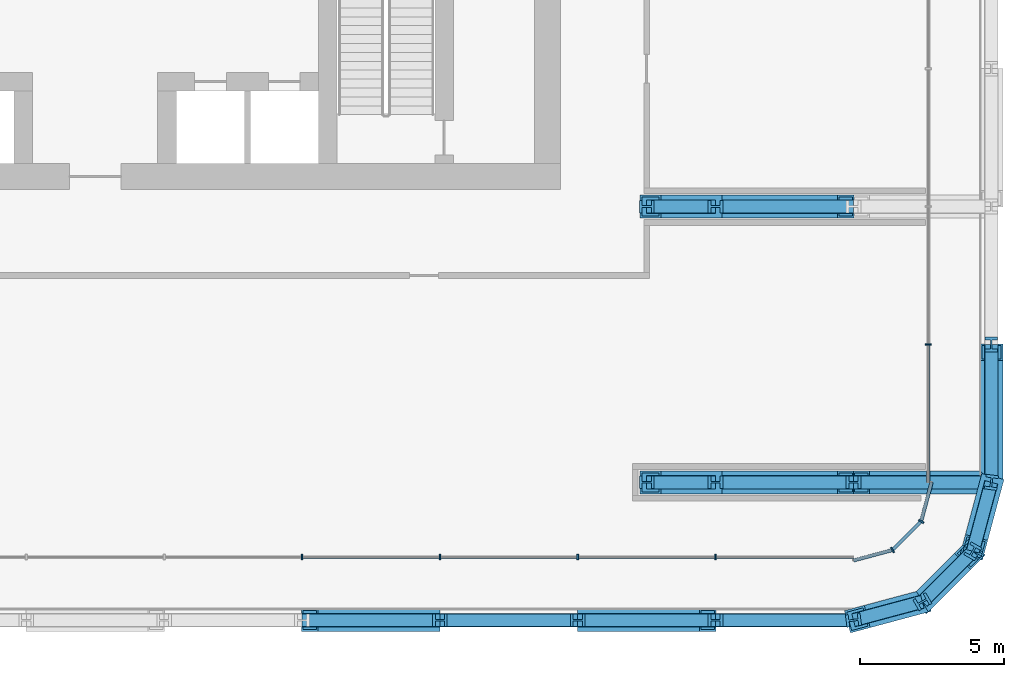
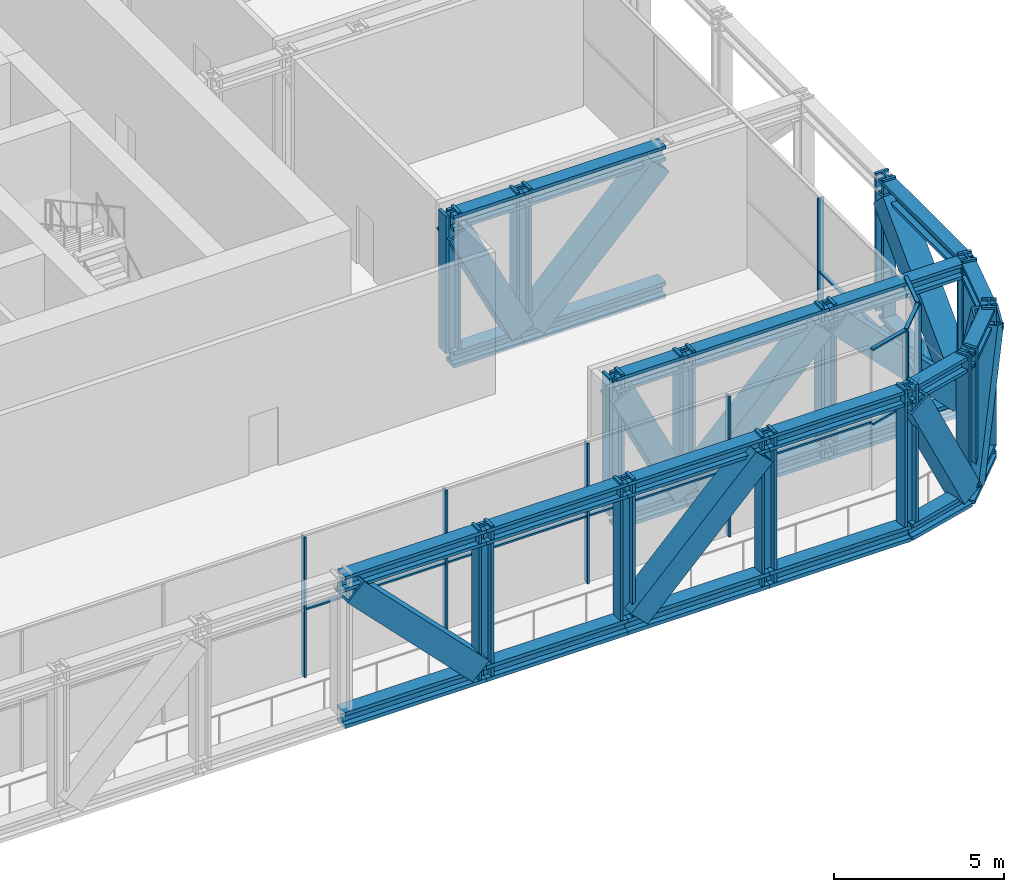
# One storey, part 8 of 30: 68 members, 3 elements without a shape of their own.
"""IFC4 building model written with IfcOpenShell, lengths in metres."""

from ifc_helpers import new_model, si_unit, direction, frame, origin, origin_2d, place, context, subcontext, project, spatial, rectangle, hollow_rectangle, i_section, extrude, material, layer, layer_set, material_profile, profile_set, type_object, element, aggregate, save


model = new_model("IFC4")

# Units and contexts
model_context = context("Model", 3, precision=1e-05, world=origin(), true_north=direction((0.0, 1.0)))
body_context = subcontext(model_context, "Body", "Model", "MODEL_VIEW")
ifc_project = project(units=[si_unit("LENGTHUNIT", "METRE"), si_unit("AREAUNIT", "SQUARE_METRE"), si_unit("VOLUMEUNIT", "CUBIC_METRE"), si_unit("PLANEANGLEUNIT", "RADIAN"), si_unit("MASSUNIT", "GRAM", prefix="KILO")], contexts=[model_context])

# Site, building, storey
site_placement = place(None, origin())
site = spatial("IfcSite", under=ifc_project, at=site_placement, CompositionType="ELEMENT")
building_placement = place(site_placement, origin())
building = spatial("IfcBuilding", under=site, at=building_placement, Name="Madar Terraces", CompositionType="ELEMENT")
storey_placement = place(building_placement, frame((0.0, 0.0, 53.89990234375)))
storey = spatial("IfcBuildingStorey", under=building, at=storey_placement, Name="L13", CompositionType="ELEMENT", Elevation=53.89990234375)

# Members
ifc_material_1 = material(Name="Steel ASTM A913 Grade 65", Category="steel")
ifc_material_profile_1 = material_profile(ifc_material_1, i_section(OverallWidth=0.472412109375, OverallDepth=0.5791015625, WebThickness=0.094970703125, FlangeThickness=0.130126953125, at=origin_2d()), Name="W14x808")
ifc_profile_set_1 = profile_set([ifc_material_profile_1], Name="Steel ASTM A913 Grade 65")
member_type_1 = type_object("IfcMemberType", Name="BC2 W14x808", PredefinedType="CHORD", material=ifc_profile_set_1)
for number, where, z_axis, x_axis, name in (
    (1, (38.39990234375, 0.0, -0.13037109375), (1.0, 0.0, 0.0), (0.0, 1.0, 0.0), "Exoskeleton truss ring bottom chord BC2"),
    (2, (43.199951171875, 0.0, -0.13037109375), (1.0, 0.0, 0.0), (0.0, 1.0, 0.0), "Exoskeleton truss ring bottom chord BC2"),
    (3, (48.0, 0.0, -0.13037109375), (1.0, 0.0, 0.0), (0.0, 1.0, 0.0), "Exoskeleton truss ring bottom chord BC2"),
    (4, (52.800048828125, 0.0, -0.13037109375), (1.0, 0.0, 0.0), (0.0, 1.0, 0.0), "Exoskeleton truss ring bottom chord BC2"),
):
    element("IfcMember", number, at=place(storey_placement, frame(where, z_axis=z_axis, x_axis=x_axis)), inside=storey, type_object=member_type_1, Name=name, PredefinedType="CHORD", context=body_context, shape_type="SweptSolid", body=[
        extrude(i_section(OverallWidth=0.472412109375, OverallDepth=0.5791015625, WebThickness=0.094970703125, FlangeThickness=0.130126953125, at=origin_2d()), origin(), (0.0, 0.0, 1.0), 4.800048828125),
    ])
for number, where, z_axis, x_axis, name in (
    (5, (57.60009765625, 0.0, -0.13037109375), (0.965924366126, 0.258824494443, 0.0), (-0.258824494443, 0.965924366126, 0.0), "Exoskeleton truss ring bottom chord BC2"),
    (6, (60.0, 0.64306640625, -0.13037109375), (0.707106781187, 0.707106781187, 0.0), (-0.707106781187, 0.707106781187, 0.0), "Exoskeleton truss ring bottom chord BC2"),
):
    element("IfcMember", number, at=place(storey_placement, frame(where, z_axis=z_axis, x_axis=x_axis)), inside=storey, type_object=member_type_1, Name=name, PredefinedType="CHORD", context=body_context, shape_type="SweptSolid", body=[
        extrude(i_section(OverallWidth=0.472412109375, OverallDepth=0.5791015625, WebThickness=0.094970703125, FlangeThickness=0.130126953125, at=origin_2d()), origin(), (0.0, 0.0, 1.0), 2.484619140625),
    ])
member_1_placement = place(storey_placement, frame((61.7568359375, 2.39990234375, -0.13037109375), z_axis=(0.258799930484, 0.965930947833, 0.0), x_axis=(-0.965930947833, 0.258799930484, 0.0)))
element("IfcMember", 7, at=member_1_placement, inside=storey, type_object=member_type_1, Name="Exoskeleton truss ring bottom chord BC2", PredefinedType="CHORD", context=body_context, shape_type="SweptSolid", body=[
    extrude(i_section(OverallWidth=0.472412109375, OverallDepth=0.5791015625, WebThickness=0.094970703125, FlangeThickness=0.130126953125, at=origin_2d()), origin(), (0.0, 0.0, 1.0), 2.48486328125),
])
member_2_placement = place(storey_placement, frame((62.39990234375, 4.800048828125, -0.13037109375), z_axis=(0.0, 1.0, 0.0), x_axis=(-1.0, 0.0, 0.0)))
element("IfcMember", 8, at=member_2_placement, inside=storey, type_object=member_type_1, Name="Exoskeleton truss ring bottom chord BC2", PredefinedType="CHORD", context=body_context, shape_type="SweptSolid", body=[
    extrude(i_section(OverallWidth=0.472412109375, OverallDepth=0.5791015625, WebThickness=0.094970703125, FlangeThickness=0.130126953125, at=origin_2d()), origin(), (0.0, 0.0, 1.0), 4.800048828125),
])
member_3_placement = place(storey_placement, frame((62.163818359375, 4.800048828125, -0.13037109375), z_axis=(-1.0, 0.0, 0.0), x_axis=(0.0, -1.0, 0.0)))
element("IfcMember", 9, at=member_3_placement, inside=storey, type_object=member_type_1, Name="Exoskeleton truss cross E4.8 bottom chord BC2", PredefinedType="CHORD", context=body_context, shape_type="SweptSolid", body=[
    extrude(i_section(OverallWidth=0.472412109375, OverallDepth=0.5791015625, WebThickness=0.094970703125, FlangeThickness=0.130126953125, at=origin_2d()), origin(), (0.0, 0.0, 1.0), 4.563720703125),
])
member_4_placement = place(storey_placement, frame((57.60009765625, 4.800048828125, -0.13037109375), z_axis=(-1.0, 0.0, 0.0), x_axis=(0.0, -1.0, 0.0)))
element("IfcMember", 10, at=member_4_placement, inside=storey, type_object=member_type_1, Name="Exoskeleton truss cross E4.8 bottom chord BC2", PredefinedType="CHORD", context=body_context, shape_type="SweptSolid", body=[
    extrude(i_section(OverallWidth=0.472412109375, OverallDepth=0.5791015625, WebThickness=0.094970703125, FlangeThickness=0.130126953125, at=origin_2d()), origin(), (0.0, 0.0, 1.0), 4.800048828125),
])
member_5_placement = place(storey_placement, frame((52.800048828125, 4.800048828125, -0.13037109375), z_axis=(-1.0, 0.0, 0.0), x_axis=(0.0, -1.0, 0.0)))
element("IfcMember", 11, at=member_5_placement, inside=storey, type_object=member_type_1, Name="Exoskeleton truss cross E4.8 bottom chord BC2", PredefinedType="CHORD", context=body_context, shape_type="SweptSolid", body=[
    extrude(i_section(OverallWidth=0.472412109375, OverallDepth=0.5791015625, WebThickness=0.094970703125, FlangeThickness=0.130126953125, at=origin_2d()), origin(), (0.0, 0.0, 1.0), 2.400146484375),
])
member_6_placement = place(storey_placement, frame((57.60009765625, 14.39990234375, -0.13037109375), z_axis=(-1.0, 0.0, 0.0), x_axis=(0.0, -1.0, 0.0)))
element("IfcMember", 12, at=member_6_placement, inside=storey, type_object=member_type_1, Name="Exoskeleton truss cross E14.4 bottom chord BC2", PredefinedType="CHORD", context=body_context, shape_type="SweptSolid", body=[
    extrude(i_section(OverallWidth=0.472412109375, OverallDepth=0.5791015625, WebThickness=0.094970703125, FlangeThickness=0.130126953125, at=origin_2d()), origin(), (0.0, 0.0, 1.0), 4.800048828125),
])
member_7_placement = place(storey_placement, frame((52.800048828125, 14.39990234375, -0.13037109375), z_axis=(-1.0, 0.0, 0.0), x_axis=(0.0, -1.0, 0.0)))
element("IfcMember", 13, at=member_7_placement, inside=storey, type_object=member_type_1, Name="Exoskeleton truss cross E14.4 bottom chord BC2", PredefinedType="CHORD", context=body_context, shape_type="SweptSolid", body=[
    extrude(i_section(OverallWidth=0.472412109375, OverallDepth=0.5791015625, WebThickness=0.094970703125, FlangeThickness=0.130126953125, at=origin_2d()), origin(), (0.0, 0.0, 1.0), 2.400146484375),
])

# Curtain wall, members
ifc_material_2 = material(Name="Glass, ceramic frit dark grey, with black aluminium frame", Category="aluminium")
ifc_layer = layer(ifc_material_2, 0.199951171875)
ifc_layer_set = layer_set([ifc_layer], Name="Facade curtain wall, tall glazing")
curtain_wall_type = type_object("IfcCurtainWallType", Name="Facade curtain wall, tall glazing", PredefinedType="NOTDEFINED", material=ifc_layer_set)
curtain_wall_1_placement = place(storey_placement, origin())
curtain_wall_1 = element("IfcCurtainWall", 14, at=curtain_wall_1_placement, inside=storey, type_object=curtain_wall_type, Name="Outer skin curtain wall south bay 1", PredefinedType="NOTDEFINED")
ifc_material_3 = material(Name="Aluminium, black anodised", Category="aluminium")
ifc_material_profile_2 = material_profile(ifc_material_3, rectangle(XDim=0.199951171875, YDim=0.06005859375, at=origin_2d()), Name="Facade mullion 60x200")
ifc_profile_set_2 = profile_set([ifc_material_profile_2], Name="Aluminium, black anodised")
member_type_2 = type_object("IfcMemberType", Name="Facade mullion 60x200", PredefinedType="MULLION", material=ifc_profile_set_2)
member_8_placement = place(storey_placement, frame((38.39990234375, 2.199951171875, 0.0), z_axis=(0.0, 0.0, 1.0), x_axis=(0.0, 1.0, 0.0)))
member_8 = element("IfcMember", 15, at=member_8_placement, type_object=member_type_2, Name="Mullion 6", PredefinedType="MULLION", context=body_context, shape_type="SweptSolid", body=[
    extrude(rectangle(XDim=0.199951171875, YDim=0.06005859375, at=origin_2d()), origin(), (0.0, 0.0, 1.0), 5.0400390625),
])
member_9_placement = place(storey_placement, frame((43.199951171875, 2.199951171875, 0.0), z_axis=(0.0, 0.0, 1.0), x_axis=(0.0, 1.0, 0.0)))
member_9 = element("IfcMember", 16, at=member_9_placement, type_object=member_type_2, Name="Mullion 7", PredefinedType="MULLION", context=body_context, shape_type="SweptSolid", body=[
    extrude(rectangle(XDim=0.199951171875, YDim=0.06005859375, at=origin_2d()), origin(), (0.0, 0.0, 1.0), 5.0400390625),
])
member_10_placement = place(storey_placement, frame((48.0, 2.199951171875, 0.0), z_axis=(0.0, 0.0, 1.0), x_axis=(0.0, 1.0, 0.0)))
member_10 = element("IfcMember", 17, at=member_10_placement, type_object=member_type_2, Name="Mullion 8", PredefinedType="MULLION", context=body_context, shape_type="SweptSolid", body=[
    extrude(rectangle(XDim=0.199951171875, YDim=0.06005859375, at=origin_2d()), origin(), (0.0, 0.0, 1.0), 5.0400390625),
])
member_11_placement = place(storey_placement, frame((52.800048828125, 2.199951171875, 0.0), z_axis=(0.0, 0.0, 1.0), x_axis=(0.0, 1.0, 0.0)))
member_11 = element("IfcMember", 18, at=member_11_placement, type_object=member_type_2, Name="Mullion 9", PredefinedType="MULLION", context=body_context, shape_type="SweptSolid", body=[
    extrude(rectangle(XDim=0.199951171875, YDim=0.06005859375, at=origin_2d()), origin(), (0.0, 0.0, 1.0), 5.0400390625),
])

# Curtain wall, member
curtain_wall_2_placement = place(storey_placement, origin())
curtain_wall_2 = element("IfcCurtainWall", 19, at=curtain_wall_2_placement, inside=storey, type_object=curtain_wall_type, Name="Outer skin curtain wall east bay 1", PredefinedType="NOTDEFINED")
member_12_placement = place(storey_placement, frame((60.199951171875, 9.60009765625, 0.0), z_axis=(0.0, 0.0, 1.0), x_axis=(-1.0, 0.0, 0.0)))
member_12 = element("IfcMember", 20, at=member_12_placement, type_object=member_type_2, Name="Mullion 1", PredefinedType="MULLION", context=body_context, shape_type="SweptSolid", body=[
    extrude(rectangle(XDim=0.199951171875, YDim=0.06005859375, at=origin_2d()), origin(), (0.0, 0.0, 1.0), 5.0400390625),
])

# Curtain wall, members
curtain_wall_3_placement = place(storey_placement, origin())
curtain_wall_3 = element("IfcCurtainWall", 21, at=curtain_wall_3_placement, inside=storey, type_object=curtain_wall_type, Name="Outer skin curtain wall south-east corner", PredefinedType="NOTDEFINED")
member_13_placement = place(storey_placement, frame((58.9599609375, 2.4443359375, 0.0), z_axis=(0.0, 0.0, 1.0), x_axis=(-0.500000029202, 0.866025386925, 0.0)))
member_13 = element("IfcMember", 22, at=member_13_placement, type_object=member_type_2, Name="Mullion 1", PredefinedType="MULLION", context=body_context, shape_type="SweptSolid", body=[
    extrude(rectangle(XDim=0.199951171875, YDim=0.06005859375, at=origin_2d()), origin(), (0.0, 0.0, 1.0), 5.0400390625),
])
member_14_placement = place(storey_placement, frame((59.95556640625, 3.43994140625, 0.0), z_axis=(0.0, 0.0, 1.0), x_axis=(-0.866025386925, 0.500000029202, 0.0)))
member_14 = element("IfcMember", 23, at=member_14_placement, type_object=member_type_2, Name="Mullion 2", PredefinedType="MULLION", context=body_context, shape_type="SweptSolid", body=[
    extrude(rectangle(XDim=0.199951171875, YDim=0.06005859375, at=origin_2d()), origin(), (0.0, 0.0, 1.0), 5.0400390625),
])

# Member
ifc_material_4 = material(Name="Aluminium, black anodised", Category="aluminium")
ifc_material_profile_3 = material_profile(ifc_material_4, rectangle(XDim=0.1201171875, YDim=0.06005859375, at=origin_2d()), Name="Facade transom 60x120")
ifc_profile_set_3 = profile_set([ifc_material_profile_3], Name="Aluminium, black anodised")
member_type_3 = type_object("IfcMemberType", Name="Facade transom 60x120", PredefinedType="USERDEFINED", material=ifc_profile_set_3)
member_15_placement = place(storey_placement, frame((38.429931640625, 2.199951171875, 2.400146484375), z_axis=(1.0, 0.0, 0.0), x_axis=(0.0, 1.0, 0.0)))
member_15 = element("IfcMember", 24, at=member_15_placement, type_object=member_type_3, Name="Transom 8", ObjectType="TRANSOM", PredefinedType="USERDEFINED", context=body_context, shape_type="SweptSolid", body=[
    extrude(rectangle(XDim=0.1201171875, YDim=0.06005859375, at=origin_2d()), origin(), (0.0, 0.0, 1.0), 4.739990234375),
])

member_16_placement = place(storey_placement, frame((43.22998046875, 2.199951171875, 2.400146484375), z_axis=(1.0, 0.0, 0.0), x_axis=(0.0, 1.0, 0.0)))
member_16 = element("IfcMember", 25, at=member_16_placement, type_object=member_type_3, Name="Transom 9", ObjectType="TRANSOM", PredefinedType="USERDEFINED", context=body_context, shape_type="SweptSolid", body=[
    extrude(rectangle(XDim=0.1201171875, YDim=0.06005859375, at=origin_2d()), origin(), (0.0, 0.0, 1.0), 4.739990234375),
])

member_17_placement = place(storey_placement, frame((48.030029296875, 2.199951171875, 2.400146484375), z_axis=(1.0, 0.0, 0.0), x_axis=(0.0, 1.0, 0.0)))
member_17 = element("IfcMember", 26, at=member_17_placement, type_object=member_type_3, Name="Transom 10", ObjectType="TRANSOM", PredefinedType="USERDEFINED", context=body_context, shape_type="SweptSolid", body=[
    extrude(rectangle(XDim=0.1201171875, YDim=0.06005859375, at=origin_2d()), origin(), (0.0, 0.0, 1.0), 4.739990234375),
])

member_18_placement = place(storey_placement, frame((52.830078125, 2.199951171875, 2.400146484375), z_axis=(1.0, 0.0, 0.0), x_axis=(0.0, 1.0, 0.0)))
member_18 = element("IfcMember", 27, at=member_18_placement, type_object=member_type_3, Name="Transom 11", ObjectType="TRANSOM", PredefinedType="USERDEFINED", context=body_context, shape_type="SweptSolid", body=[
    extrude(rectangle(XDim=0.1201171875, YDim=0.06005859375, at=origin_2d()), origin(), (0.0, 0.0, 1.0), 4.77001953125),
])

aggregate(curtain_wall_1, [member_8, member_9, member_10, member_11, member_15, member_16, member_17, member_18])

member_19_placement = place(storey_placement, frame((60.199951171875, 4.800048828125, 2.400146484375), z_axis=(0.0, 1.0, 0.0), x_axis=(-1.0, 0.0, 0.0)))
member_19 = element("IfcMember", 28, at=member_19_placement, type_object=member_type_3, Name="Transom 2", ObjectType="TRANSOM", PredefinedType="USERDEFINED", context=body_context, shape_type="SweptSolid", body=[
    extrude(rectangle(XDim=0.1201171875, YDim=0.06005859375, at=origin_2d()), origin(), (0.0, 0.0, 1.0), 4.77001953125),
])

aggregate(curtain_wall_2, [member_12, member_19])

member_20_placement = place(storey_placement, frame((57.60009765625, 2.080078125, 5.070068359375), z_axis=(0.965907707525, 0.258886655787, 0.0), x_axis=(-0.258886655787, 0.965907707525, 0.0)))
member_20 = element("IfcMember", 29, at=member_20_placement, type_object=member_type_3, Name="Transom 1", ObjectType="TRANSOM", PredefinedType="USERDEFINED", context=body_context, shape_type="SweptSolid", body=[
    extrude(rectangle(XDim=0.1201171875, YDim=0.06005859375, at=origin_2d()), origin(), (0.0, 0.0, 1.0), 1.377685546875),
])

member_21_placement = place(storey_placement, frame((57.60009765625, 2.080078125, 2.400146484375), z_axis=(0.965907707525, 0.258886655787, 0.0), x_axis=(-0.258886655787, 0.965907707525, 0.0)))
member_21 = element("IfcMember", 30, at=member_21_placement, type_object=member_type_3, Name="Transom 2", ObjectType="TRANSOM", PredefinedType="USERDEFINED", context=body_context, shape_type="SweptSolid", body=[
    extrude(rectangle(XDim=0.1201171875, YDim=0.06005859375, at=origin_2d()), origin(), (0.0, 0.0, 1.0), 1.377685546875),
])

member_22_placement = place(storey_placement, frame((58.981201171875, 2.465576171875, 5.070068359375), z_axis=(0.707106781187, 0.707106781187, 0.0), x_axis=(-0.707106781187, 0.707106781187, 0.0)))
member_22 = element("IfcMember", 31, at=member_22_placement, type_object=member_type_3, Name="Transom 3", ObjectType="TRANSOM", PredefinedType="USERDEFINED", context=body_context, shape_type="SweptSolid", body=[
    extrude(rectangle(XDim=0.1201171875, YDim=0.06005859375, at=origin_2d()), origin(), (0.0, 0.0, 1.0), 1.347900390625),
])

member_23_placement = place(storey_placement, frame((58.981201171875, 2.465576171875, 2.400146484375), z_axis=(0.707106781187, 0.707106781187, 0.0), x_axis=(-0.707106781187, 0.707106781187, 0.0)))
member_23 = element("IfcMember", 32, at=member_23_placement, type_object=member_type_3, Name="Transom 4", ObjectType="TRANSOM", PredefinedType="USERDEFINED", context=body_context, shape_type="SweptSolid", body=[
    extrude(rectangle(XDim=0.1201171875, YDim=0.06005859375, at=origin_2d()), origin(), (0.0, 0.0, 1.0), 1.347900390625),
])

member_24_placement = place(storey_placement, frame((59.96337890625, 3.468994140625, 5.070068359375), z_axis=(0.258842352791, 0.965919580711, 0.0), x_axis=(-0.965919580711, 0.258842352791, 0.0)))
member_24 = element("IfcMember", 33, at=member_24_placement, type_object=member_type_3, Name="Transom 5", ObjectType="TRANSOM", PredefinedType="USERDEFINED", context=body_context, shape_type="SweptSolid", body=[
    extrude(rectangle(XDim=0.1201171875, YDim=0.06005859375, at=origin_2d()), origin(), (0.0, 0.0, 1.0), 1.3779296875),
])

member_25_placement = place(storey_placement, frame((59.96337890625, 3.468994140625, 2.400146484375), z_axis=(0.258842352791, 0.965919580711, 0.0), x_axis=(-0.965919580711, 0.258842352791, 0.0)))
member_25 = element("IfcMember", 34, at=member_25_placement, type_object=member_type_3, Name="Transom 6", ObjectType="TRANSOM", PredefinedType="USERDEFINED", context=body_context, shape_type="SweptSolid", body=[
    extrude(rectangle(XDim=0.1201171875, YDim=0.06005859375, at=origin_2d()), origin(), (0.0, 0.0, 1.0), 1.3779296875),
])

aggregate(curtain_wall_3, [member_13, member_20, member_21, member_14, member_22, member_23, member_24, member_25])

# Members
ifc_material_5 = material(Name="Steel ASTM A913 Grade 65", Category="steel")
ifc_material_profile_4 = material_profile(ifc_material_5, i_section(OverallWidth=0.449462890625, OverallDepth=0.548583984375, WebThickness=0.07177734375, FlangeThickness=0.11474609375, at=origin_2d()), Name="W14x665")
ifc_profile_set_4 = profile_set([ifc_material_profile_4], Name="Steel ASTM A913 Grade 65")
member_type_4 = type_object("IfcMemberType", Name="TC2 W14x665", PredefinedType="CHORD", material=ifc_profile_set_4)
for number, where, z_axis, x_axis, name in (
    (35, (38.39990234375, 0.0, 4.755859375), (1.0, 0.0, 0.0), (0.0, 1.0, 0.0), "Exoskeleton truss ring top chord TC2"),
    (36, (43.199951171875, 0.0, 4.755859375), (1.0, 0.0, 0.0), (0.0, 1.0, 0.0), "Exoskeleton truss ring top chord TC2"),
    (37, (48.0, 0.0, 4.755859375), (1.0, 0.0, 0.0), (0.0, 1.0, 0.0), "Exoskeleton truss ring top chord TC2"),
    (38, (52.800048828125, 0.0, 4.755859375), (1.0, 0.0, 0.0), (0.0, 1.0, 0.0), "Exoskeleton truss ring top chord TC2"),
):
    element("IfcMember", number, at=place(storey_placement, frame(where, z_axis=z_axis, x_axis=x_axis)), inside=storey, type_object=member_type_4, Name=name, PredefinedType="CHORD", context=body_context, shape_type="SweptSolid", body=[
        extrude(i_section(OverallWidth=0.449462890625, OverallDepth=0.548583984375, WebThickness=0.07177734375, FlangeThickness=0.11474609375, at=origin_2d()), origin(), (0.0, 0.0, 1.0), 4.800048828125),
    ])
for number, where, z_axis, x_axis, name in (
    (39, (57.60009765625, 0.0, 4.755859375), (0.965924366126, 0.258824494443, 0.0), (-0.258824494443, 0.965924366126, 0.0), "Exoskeleton truss ring top chord TC2"),
    (40, (60.0, 0.64306640625, 4.755859375), (0.707106781187, 0.707106781187, 0.0), (-0.707106781187, 0.707106781187, 0.0), "Exoskeleton truss ring top chord TC2"),
):
    element("IfcMember", number, at=place(storey_placement, frame(where, z_axis=z_axis, x_axis=x_axis)), inside=storey, type_object=member_type_4, Name=name, PredefinedType="CHORD", context=body_context, shape_type="SweptSolid", body=[
        extrude(i_section(OverallWidth=0.449462890625, OverallDepth=0.548583984375, WebThickness=0.07177734375, FlangeThickness=0.11474609375, at=origin_2d()), origin(), (0.0, 0.0, 1.0), 2.484619140625),
    ])
member_26_placement = place(storey_placement, frame((61.7568359375, 2.39990234375, 4.755859375), z_axis=(0.258799930484, 0.965930947833, 0.0), x_axis=(-0.965930947833, 0.258799930484, 0.0)))
element("IfcMember", 41, at=member_26_placement, inside=storey, type_object=member_type_4, Name="Exoskeleton truss ring top chord TC2", PredefinedType="CHORD", context=body_context, shape_type="SweptSolid", body=[
    extrude(i_section(OverallWidth=0.449462890625, OverallDepth=0.548583984375, WebThickness=0.07177734375, FlangeThickness=0.11474609375, at=origin_2d()), origin(), (0.0, 0.0, 1.0), 2.48486328125),
])
member_27_placement = place(storey_placement, frame((62.39990234375, 4.800048828125, 4.755859375), z_axis=(0.0, 1.0, 0.0), x_axis=(-1.0, 0.0, 0.0)))
element("IfcMember", 42, at=member_27_placement, inside=storey, type_object=member_type_4, Name="Exoskeleton truss ring top chord TC2", PredefinedType="CHORD", context=body_context, shape_type="SweptSolid", body=[
    extrude(i_section(OverallWidth=0.449462890625, OverallDepth=0.548583984375, WebThickness=0.07177734375, FlangeThickness=0.11474609375, at=origin_2d()), origin(), (0.0, 0.0, 1.0), 4.800048828125),
])
member_28_placement = place(storey_placement, frame((62.17529296875, 4.800048828125, 4.755859375), z_axis=(-1.0, 0.0, 0.0), x_axis=(0.0, -1.0, 0.0)))
element("IfcMember", 43, at=member_28_placement, inside=storey, type_object=member_type_4, Name="Exoskeleton truss cross E4.8 top chord TC2", PredefinedType="CHORD", context=body_context, shape_type="SweptSolid", body=[
    extrude(i_section(OverallWidth=0.449462890625, OverallDepth=0.548583984375, WebThickness=0.07177734375, FlangeThickness=0.11474609375, at=origin_2d()), origin(), (0.0, 0.0, 1.0), 4.5751953125),
])
member_29_placement = place(storey_placement, frame((57.60009765625, 4.800048828125, 4.755859375), z_axis=(-1.0, 0.0, 0.0), x_axis=(0.0, -1.0, 0.0)))
element("IfcMember", 44, at=member_29_placement, inside=storey, type_object=member_type_4, Name="Exoskeleton truss cross E4.8 top chord TC2", PredefinedType="CHORD", context=body_context, shape_type="SweptSolid", body=[
    extrude(i_section(OverallWidth=0.449462890625, OverallDepth=0.548583984375, WebThickness=0.07177734375, FlangeThickness=0.11474609375, at=origin_2d()), origin(), (0.0, 0.0, 1.0), 4.800048828125),
])
member_30_placement = place(storey_placement, frame((52.800048828125, 4.800048828125, 4.755859375), z_axis=(-1.0, 0.0, 0.0), x_axis=(0.0, -1.0, 0.0)))
element("IfcMember", 45, at=member_30_placement, inside=storey, type_object=member_type_4, Name="Exoskeleton truss cross E4.8 top chord TC2", PredefinedType="CHORD", context=body_context, shape_type="SweptSolid", body=[
    extrude(i_section(OverallWidth=0.449462890625, OverallDepth=0.548583984375, WebThickness=0.07177734375, FlangeThickness=0.11474609375, at=origin_2d()), origin(), (0.0, 0.0, 1.0), 2.400146484375),
])
member_31_placement = place(storey_placement, frame((57.60009765625, 14.39990234375, 4.755859375), z_axis=(-1.0, 0.0, 0.0), x_axis=(0.0, -1.0, 0.0)))
element("IfcMember", 46, at=member_31_placement, inside=storey, type_object=member_type_4, Name="Exoskeleton truss cross E14.4 top chord TC2", PredefinedType="CHORD", context=body_context, shape_type="SweptSolid", body=[
    extrude(i_section(OverallWidth=0.449462890625, OverallDepth=0.548583984375, WebThickness=0.07177734375, FlangeThickness=0.11474609375, at=origin_2d()), origin(), (0.0, 0.0, 1.0), 4.800048828125),
])
member_32_placement = place(storey_placement, frame((52.800048828125, 14.39990234375, 4.755859375), z_axis=(-1.0, 0.0, 0.0), x_axis=(0.0, -1.0, 0.0)))
element("IfcMember", 47, at=member_32_placement, inside=storey, type_object=member_type_4, Name="Exoskeleton truss cross E14.4 top chord TC2", PredefinedType="CHORD", context=body_context, shape_type="SweptSolid", body=[
    extrude(i_section(OverallWidth=0.449462890625, OverallDepth=0.548583984375, WebThickness=0.07177734375, FlangeThickness=0.11474609375, at=origin_2d()), origin(), (0.0, 0.0, 1.0), 2.400146484375),
])
ifc_material_6 = material(Name="Steel ASTM A572 Grade 50", Category="steel")
ifc_material_profile_5 = material_profile(ifc_material_6, hollow_rectangle(XDim=0.800048828125, YDim=0.800048828125, WallThickness=0.070068359375, at=origin_2d()), Name="BOX800x800x70")
ifc_profile_set_5 = profile_set([ifc_material_profile_5], Name="Steel ASTM A572 Grade 50")
member_type_5 = type_object("IfcMemberType", Name="TD2 BOX800x800x70", PredefinedType="BRACE", material=ifc_profile_set_5)
for number, where, z_axis, x_axis, name in (
    (48, (38.66943359375, 0.0, 4.4814453125), (0.700792979798, 0.0, -0.713364702986), (0.0, 1.0, 0.0), "Exoskeleton truss ring diagonal TD2"),
    (49, (48.284423828125, 0.0, 0.1591796875), (0.700792979798, 0.0, 0.713364702986), (0.0, 1.0, 0.0), "Exoskeleton truss ring diagonal TD2"),
):
    element("IfcMember", number, at=place(storey_placement, frame(where, z_axis=z_axis, x_axis=x_axis)), inside=storey, type_object=member_type_5, Name=name, PredefinedType="BRACE", context=body_context, shape_type="SweptSolid", body=[
        extrude(hollow_rectangle(XDim=0.800048828125, YDim=0.800048828125, WallThickness=0.070068359375, at=origin_2d()), origin(), (0.0, 0.0, 1.0), 6.05908203125),
    ])
for number, where, z_axis, x_axis, name in (
    (50, (57.73486328125, 0.0361328125, 4.4814453125), (0.437790317205, 0.117314714099, -0.891390428498), (-0.258837885275, 0.965920777883, 0.0), "Exoskeleton truss ring diagonal TD2"),
    (51, (60.10400390625, 0.747314453125, 0.1591796875), (0.320523004836, 0.320472655636, 0.891382230225), (-0.707051236881, 0.707162321129, 0.0), "Exoskeleton truss ring diagonal TD2"),
):
    element("IfcMember", number, at=place(storey_placement, frame(where, z_axis=z_axis, x_axis=x_axis)), inside=storey, type_object=member_type_5, Name=name, PredefinedType="BRACE", context=body_context, shape_type="SweptSolid", body=[
        extrude(hollow_rectangle(XDim=0.800048828125, YDim=0.800048828125, WallThickness=0.070068359375, at=origin_2d()), origin(), (0.0, 0.0, 1.0), 4.848876953125),
    ])
member_33_placement = place(storey_placement, frame((61.79296875, 2.53466796875, 4.4814453125), z_axis=(0.117312128115, 0.437831015487, -0.89137077946), x_axis=(-0.965928219336, 0.258810113966, 0.0)))
element("IfcMember", 52, at=member_33_placement, inside=storey, type_object=member_type_5, Name="Exoskeleton truss ring diagonal TD2", PredefinedType="BRACE", context=body_context, shape_type="SweptSolid", body=[
    extrude(hollow_rectangle(XDim=0.800048828125, YDim=0.800048828125, WallThickness=0.070068359375, at=origin_2d()), origin(), (0.0, 0.0, 1.0), 4.84912109375),
])
for number, where, z_axis, x_axis, name in (
    (53, (62.39990234375, 5.08447265625, 0.1591796875), (0.0, 0.700792979798, 0.713364702986), (-1.0, 0.0, 0.0), "Exoskeleton truss ring diagonal TD2"),
    (54, (62.115478515625, 4.800048828125, 0.1591796875), (-0.700792979798, 0.0, 0.713364702986), (0.0, -1.0, 0.0), "Exoskeleton truss cross E4.8 diagonal TD2"),
    (55, (57.33056640625, 4.800048828125, 4.4814453125), (-0.700792979798, 0.0, -0.713364702986), (0.0, -1.0, 0.0), "Exoskeleton truss cross E4.8 diagonal TD2"),
):
    element("IfcMember", number, at=place(storey_placement, frame(where, z_axis=z_axis, x_axis=x_axis)), inside=storey, type_object=member_type_5, Name=name, PredefinedType="BRACE", context=body_context, shape_type="SweptSolid", body=[
        extrude(hollow_rectangle(XDim=0.800048828125, YDim=0.800048828125, WallThickness=0.070068359375, at=origin_2d()), origin(), (0.0, 0.0, 1.0), 6.05908203125),
    ])
member_34_placement = place(storey_placement, frame((52.65771484375, 4.800048828125, 0.1591796875), z_axis=(-0.440875217674, 0.0, 0.897568405438), x_axis=(0.0, -1.0, 0.0)))
element("IfcMember", 56, at=member_34_placement, inside=storey, type_object=member_type_5, Name="Exoskeleton truss cross E4.8 diagonal TD2", PredefinedType="BRACE", context=body_context, shape_type="SweptSolid", body=[
    extrude(hollow_rectangle(XDim=0.800048828125, YDim=0.800048828125, WallThickness=0.070068359375, at=origin_2d()), origin(), (0.0, 0.0, 1.0), 4.8154296875),
])
member_35_placement = place(storey_placement, frame((57.33056640625, 14.39990234375, 4.4814453125), z_axis=(-0.700792979798, 0.0, -0.713364702986), x_axis=(0.0, -1.0, 0.0)))
element("IfcMember", 57, at=member_35_placement, inside=storey, type_object=member_type_5, Name="Exoskeleton truss cross E14.4 diagonal TD2", PredefinedType="BRACE", context=body_context, shape_type="SweptSolid", body=[
    extrude(hollow_rectangle(XDim=0.800048828125, YDim=0.800048828125, WallThickness=0.070068359375, at=origin_2d()), origin(), (0.0, 0.0, 1.0), 6.05908203125),
])
member_36_placement = place(storey_placement, frame((52.65771484375, 14.39990234375, 0.1591796875), z_axis=(-0.440875217674, 0.0, 0.897568405438), x_axis=(0.0, -1.0, 0.0)))
element("IfcMember", 58, at=member_36_placement, inside=storey, type_object=member_type_5, Name="Exoskeleton truss cross E14.4 diagonal TD2", PredefinedType="BRACE", context=body_context, shape_type="SweptSolid", body=[
    extrude(hollow_rectangle(XDim=0.800048828125, YDim=0.800048828125, WallThickness=0.070068359375, at=origin_2d()), origin(), (0.0, 0.0, 1.0), 4.8154296875),
])
ifc_material_7 = material(Name="Steel ASTM A913 Grade 65", Category="steel")
ifc_material_profile_6 = material_profile(ifc_material_7, i_section(OverallWidth=0.436767578125, OverallDepth=0.51318359375, WebThickness=0.060546875, FlangeThickness=0.096923828125, at=origin_2d()), Name="W14x550")
ifc_profile_set_6 = profile_set([ifc_material_profile_6], Name="Steel ASTM A913 Grade 65")
member_type_6 = type_object("IfcMemberType", Name="TV2 W14x550", PredefinedType="POST", material=ifc_profile_set_6)
member_37_placement = place(storey_placement, frame((43.199951171875, 0.0, -0.419921875), z_axis=(0.0, 0.0, 1.0), x_axis=(0.0, 1.0, 0.0)))
element("IfcMember", 59, at=member_37_placement, inside=storey, type_object=member_type_6, Name="Exoskeleton truss ring post TV2", PredefinedType="POST", context=body_context, shape_type="SweptSolid", body=[
    extrude(i_section(OverallWidth=0.436767578125, OverallDepth=0.51318359375, WebThickness=0.060546875, FlangeThickness=0.096923828125, at=origin_2d()), origin(), (0.0, 0.0, 1.0), 5.52001953125),
])
member_38_placement = place(storey_placement, frame((48.0, 0.0, 0.1591796875), z_axis=(0.0, 0.0, 1.0), x_axis=(0.0, 1.0, 0.0)))
element("IfcMember", 60, at=member_38_placement, inside=storey, type_object=member_type_6, Name="Exoskeleton truss ring post TV2", PredefinedType="POST", context=body_context, shape_type="SweptSolid", body=[
    extrude(i_section(OverallWidth=0.436767578125, OverallDepth=0.51318359375, WebThickness=0.060546875, FlangeThickness=0.096923828125, at=origin_2d()), origin(), (0.0, 0.0, 1.0), 4.94091796875),
])
member_39_placement = place(storey_placement, frame((52.800048828125, 0.0, -0.419921875), z_axis=(0.0, 0.0, 1.0), x_axis=(0.0, 1.0, 0.0)))
element("IfcMember", 61, at=member_39_placement, inside=storey, type_object=member_type_6, Name="Exoskeleton truss ring post TV2", PredefinedType="POST", context=body_context, shape_type="SweptSolid", body=[
    extrude(i_section(OverallWidth=0.436767578125, OverallDepth=0.51318359375, WebThickness=0.060546875, FlangeThickness=0.096923828125, at=origin_2d()), origin(), (0.0, 0.0, 1.0), 5.52001953125),
])
for number, where, z_axis, x_axis, name in (
    (62, (57.60009765625, 0.0, 0.1591796875), (0.0, 0.0, 1.0), (-0.130526174916, 0.991444863652, 0.0), "Exoskeleton truss ring post TV2"),
    (63, (60.0, 0.64306640625, 0.1591796875), (0.0, 0.0, 1.0), (-0.499999984885, 0.866025412511, 0.0), "Exoskeleton truss ring post TV2"),
    (64, (61.7568359375, 2.39990234375, 0.1591796875), (0.0, 0.0, 1.0), (-0.866025412511, 0.499999984885, 0.0), "Exoskeleton truss ring post TV2"),
    (65, (62.39990234375, 4.800048828125, 0.1591796875), (0.0, 0.0, 1.0), (-0.991444863652, 0.130526174916, 0.0), "Exoskeleton truss ring post TV2"),
    (66, (62.39990234375, 9.60009765625, 0.1591796875), (0.0, 0.0, 1.0), (-1.0, 0.0, 0.0), "Exoskeleton truss ring post TV2"),
):
    element("IfcMember", number, at=place(storey_placement, frame(where, z_axis=z_axis, x_axis=x_axis)), inside=storey, type_object=member_type_6, Name=name, PredefinedType="POST", context=body_context, shape_type="SweptSolid", body=[
        extrude(i_section(OverallWidth=0.436767578125, OverallDepth=0.51318359375, WebThickness=0.060546875, FlangeThickness=0.096923828125, at=origin_2d()), origin(), (0.0, 0.0, 1.0), 4.94091796875),
    ])
member_40_placement = place(storey_placement, frame((57.60009765625, 4.800048828125, -0.419921875), z_axis=(0.0, 0.0, 1.0), x_axis=(0.0, 1.0, 0.0)))
element("IfcMember", 67, at=member_40_placement, inside=storey, type_object=member_type_6, Name="Exoskeleton truss cross E4.8 post TV2", PredefinedType="POST", context=body_context, shape_type="SweptSolid", body=[
    extrude(i_section(OverallWidth=0.436767578125, OverallDepth=0.51318359375, WebThickness=0.060546875, FlangeThickness=0.096923828125, at=origin_2d()), origin(), (0.0, 0.0, 1.0), 5.52001953125),
])
for number, where, z_axis, x_axis, name in (
    (68, (52.800048828125, 4.800048828125, 0.1591796875), (0.0, 0.0, 1.0), (0.0, 1.0, 0.0), "Exoskeleton truss cross E4.8 post TV2"),
    (69, (50.39990234375, 4.800048828125, 0.1591796875), (0.0, 0.0, 1.0), (0.0, 1.0, 0.0), "Exoskeleton truss cross E4.8 post TV2"),
    (70, (52.800048828125, 14.39990234375, 0.1591796875), (0.0, 0.0, 1.0), (0.0, 1.0, 0.0), "Exoskeleton truss cross E14.4 post TV2"),
    (71, (50.39990234375, 14.39990234375, 0.1591796875), (0.0, 0.0, 1.0), (0.0, 1.0, 0.0), "Exoskeleton truss cross E14.4 post TV2"),
):
    element("IfcMember", number, at=place(storey_placement, frame(where, z_axis=z_axis, x_axis=x_axis)), inside=storey, type_object=member_type_6, Name=name, PredefinedType="POST", context=body_context, shape_type="SweptSolid", body=[
        extrude(i_section(OverallWidth=0.436767578125, OverallDepth=0.51318359375, WebThickness=0.060546875, FlangeThickness=0.096923828125, at=origin_2d()), origin(), (0.0, 0.0, 1.0), 4.94091796875),
    ])

save(model, "model.ifc")
